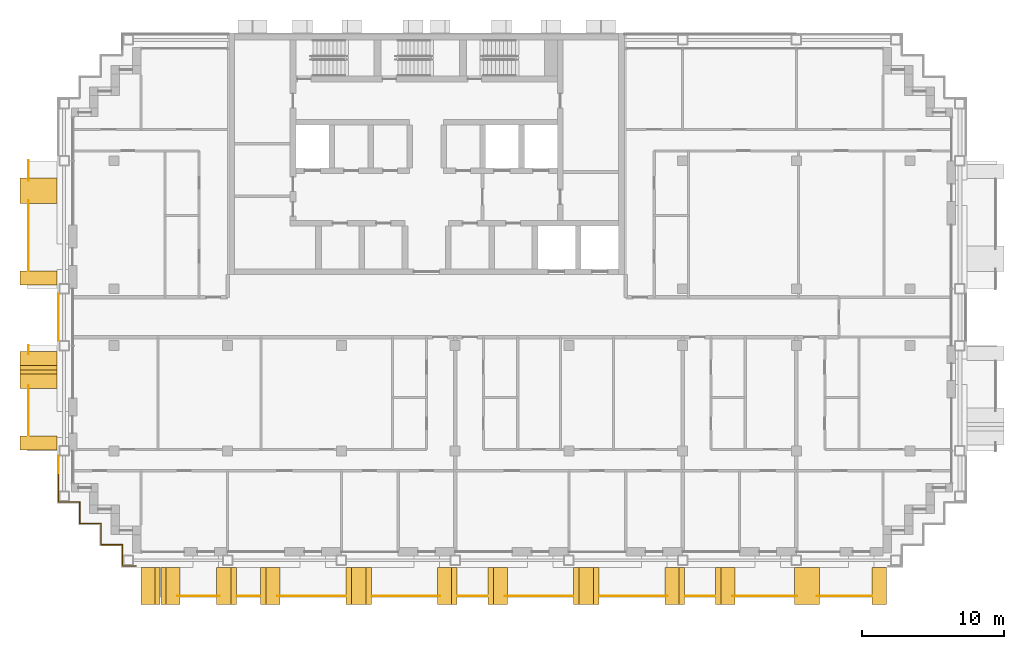
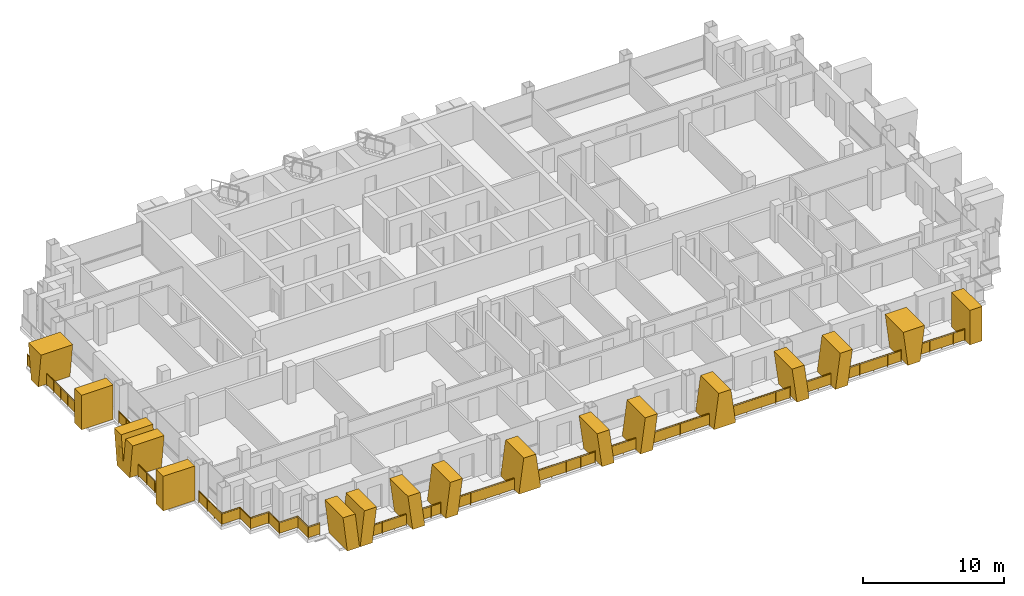
# One storey, part 13 of 16: 17 railings, 16 shading devices.
"""IFC4 building model written with IfcOpenShell, lengths in metres."""

import ifcopenshell
import ifcopenshell.guid

model = None  # the IFC model being written
_history = None  # IfcOwnerHistory: only IFC2X3 demands one
_inside = {}  # id of a spatial element -> (the spatial element, [elements in it])
_under = {}  # id of a project, library or spatial element -> (it, [spatial elements below it])
_declared = {}  # id of a project -> (the project, [libraries it declares])
_typed = {}  # id of a type object -> (the type object, [elements of that type])
_made_of = {}  # id of a material, layer set ... -> (it, [elements and type objects made of it])


def new_model(schema):
    """Start an empty IFC model of exactly this schema.

    Asked for "IFC4X3", IfcOpenShell would pick the latest addendum, in which some entities
    have other attributes; the version numbers below select the first issue.
    IFC2X3 requires an IfcOwnerHistory on every rooted entity: one is made here for all.
    """
    global model, _history
    if schema == "IFC4X3":
        model = ifcopenshell.file(schema_version=(4, 3, 0, 0))
    else:
        model = ifcopenshell.file(schema=schema)
    _inside.clear()
    _under.clear()
    _declared.clear()
    _typed.clear()
    _made_of.clear()
    _history = None
    if model.schema == "IFC2X3":
        org = make("IfcOrganization", Name="unknown")
        user = make(
            "IfcPersonAndOrganization",
            ThePerson=make("IfcPerson", FamilyName="unknown"),
            TheOrganization=org,
        )
        app = make(
            "IfcApplication",
            ApplicationDeveloper=org,
            Version="unknown",
            ApplicationFullName="unknown",
            ApplicationIdentifier="unknown",
        )
        _history = make(
            "IfcOwnerHistory",
            OwningUser=user,
            OwningApplication=app,
            ChangeAction="ADDED",
            CreationDate=0,
        )
    return model


def make(cls, **values):
    """One entity of the class cls with the attributes given. An attribute that is None is left unset."""
    return model.create_entity(
        cls, **{name: value for name, value in values.items() if value is not None}
    )


def rooted(cls, **values):
    """An entity with a GlobalId (a new one), such as an element, a storey or a relation."""
    return make(cls, GlobalId=ifcopenshell.guid.new(), OwnerHistory=_history, **values)


def si_unit(unit_type, name, prefix=None):
    """IfcSIUnit, for example si_unit("LENGTHUNIT", "METRE", prefix="MILLI")."""
    return make("IfcSIUnit", UnitType=unit_type, Prefix=prefix, Name=name)


def assignment(units):
    """IfcUnitAssignment: the units of a project."""
    return None if units is None else make("IfcUnitAssignment", Units=units)


def point(xyz):
    """IfcCartesianPoint."""
    return None if xyz is None else make("IfcCartesianPoint", Coordinates=xyz)


def direction(xyz):
    """IfcDirection."""
    return None if xyz is None else make("IfcDirection", DirectionRatios=xyz)


def frame(location, z_axis=None, x_axis=None):
    """IfcAxis2Placement3D, a coordinate frame: its origin and axes. An axis left out is left unset."""
    return make(
        "IfcAxis2Placement3D",
        Location=point(location),
        Axis=direction(z_axis),
        RefDirection=direction(x_axis),
    )


def frame_2d(location, x_axis=None):
    """IfcAxis2Placement2D, a coordinate frame in the plane: its origin and x axis."""
    return make(
        "IfcAxis2Placement2D", Location=point(location), RefDirection=direction(x_axis)
    )


def origin():
    """The frame at (0, 0, 0) with its axes left unset."""
    return frame((0.0, 0.0, 0.0))


def origin_2d():
    """The frame at (0, 0) in the plane with its x axis left unset."""
    return frame_2d((0.0, 0.0))


def place(relative_to, where):
    """IfcLocalPlacement: puts the frame where relative to a parent placement (None: the world)."""
    return make(
        "IfcLocalPlacement", PlacementRelTo=relative_to, RelativePlacement=where
    )


def context(
    kind, dimensions, precision=None, world=None, true_north=None, identifier=None
):
    """IfcGeometricRepresentationContext, for example the 3D "Model" context."""
    return make(
        "IfcGeometricRepresentationContext",
        ContextIdentifier=identifier,
        ContextType=kind,
        CoordinateSpaceDimension=dimensions,
        Precision=precision,
        WorldCoordinateSystem=world,
        TrueNorth=true_north,
    )


def subcontext(parent, identifier, kind, view, scale=None):
    """IfcGeometricRepresentationSubContext, for example "Body" below "Model"."""
    return make(
        "IfcGeometricRepresentationSubContext",
        ContextIdentifier=identifier,
        ContextType=kind,
        ParentContext=parent,
        TargetScale=scale,
        TargetView=view,
    )


def project(units=None, contexts=None):
    """IfcProject with its units and contexts."""
    return rooted(
        "IfcProject",
        Name="project",
        RepresentationContexts=contexts,
        UnitsInContext=assignment(units),
    )


def spatial(cls, under=None, at=None, **own):
    """A site, building, storey or space (cls), placed at a placement, below another one or the project."""
    s = rooted(cls, ObjectPlacement=at, **own)
    if under is not None:
        _under.setdefault(under.id(), (under, []))[1].append(s)
    return s


def polyline(points):
    """IfcPolyline through the points."""
    return make("IfcPolyline", Points=[point(p) for p in points])


def profile(cls, at=None, kind="AREA", **sizes):
    """A parametric profile (cls). Its sizes go by their IFC names, for example OverallWidth=200.0."""
    return make(cls, ProfileType=kind, Position=at, **sizes)


def rectangle(**sizes):
    """IfcRectangleProfileDef."""
    return profile("IfcRectangleProfileDef", **sizes)


def circle(**sizes):
    """IfcCircleProfileDef."""
    return profile("IfcCircleProfileDef", **sizes)


def outline(outer, holes=None, kind="AREA"):
    """IfcArbitraryClosedProfileDef: a profile drawn as a closed curve; with holes, ...WithVoids."""
    if holes is None:
        return make("IfcArbitraryClosedProfileDef", ProfileType=kind, OuterCurve=outer)
    return make(
        "IfcArbitraryProfileDefWithVoids",
        ProfileType=kind,
        OuterCurve=outer,
        InnerCurves=holes,
    )


def extrude(swept, where, along, depth):
    """IfcExtrudedAreaSolid: the profile swept, set in the frame where, extruded along a direction by depth."""
    return make(
        "IfcExtrudedAreaSolid",
        SweptArea=swept,
        Position=where,
        ExtrudedDirection=direction(along),
        Depth=depth,
    )


def shape(context_of_items, identifier, shape_type, items):
    """IfcShapeRepresentation: the items that make up one representation, for example the "Body"."""
    return make(
        "IfcShapeRepresentation",
        ContextOfItems=context_of_items,
        RepresentationIdentifier=identifier,
        RepresentationType=shape_type,
        Items=items,
    )


def material(Name=None, Category=None):
    """IfcMaterial."""
    return make("IfcMaterial", Name=Name, Category=Category)


def layer(
    of_material, thickness, ventilated=None, Name=None, Category=None, Priority=None
):
    """IfcMaterialLayer: one layer of a wall or slab, of a material (None: an air gap)."""
    return make(
        "IfcMaterialLayer",
        Material=of_material,
        LayerThickness=thickness,
        IsVentilated=ventilated,
        Name=Name,
        Category=Category,
        Priority=Priority,
    )


def layer_set(layers, Name=None):
    """IfcMaterialLayerSet."""
    return make("IfcMaterialLayerSet", MaterialLayers=layers, LayerSetName=Name)


def made_of(thing, what):
    """Note that an element or type object is made of a material, layer set ...; save() writes the relation."""
    if what is not None:
        _made_of.setdefault(what.id(), (what, []))[1].append(thing)
    return thing


def type_object(cls, material=None, **own):
    """A type object (cls), such as IfcWallType, which elements share."""
    return made_of(rooted(cls, **own), material)


def element(
    cls,
    number,
    at=None,
    inside=None,
    cuts=None,
    type_object=None,
    material=None,
    context=None,
    identifier="Body",
    shape_type=None,
    held_by="IfcProductDefinitionShape",
    body=None,
    shapes=None,
    **own,
):
    """One element of the class cls, such as IfcWall. Its Tag is "e" and its number.

    at: its placement. inside: the storey or other place that contains it. cuts: it is an
    opening in that element (IfcRelVoidsElement). A single representation is given by context,
    identifier, shape_type and body (its items); several are given by shapes. held_by: the class
    of the entity that holds the representations. save() writes the other relations.
    """
    e = rooted(cls, Tag="e%d" % number, ObjectPlacement=at, **own)
    if body is not None:
        shapes = [shape(context, identifier, shape_type, body)]
    if shapes is not None:
        e.Representation = make(held_by, Representations=shapes)
    if inside is not None:
        _inside.setdefault(inside.id(), (inside, []))[1].append(e)
    if cuts is not None:
        rooted(
            "IfcRelVoidsElement", RelatingBuildingElement=cuts, RelatedOpeningElement=e
        )
    if type_object is not None:
        _typed.setdefault(type_object.id(), (type_object, []))[1].append(e)
    return made_of(e, material)


def aggregate(whole, parts):
    """IfcRelAggregates: a whole, such as a stair, and the parts it consists of."""
    return rooted("IfcRelAggregates", RelatingObject=whole, RelatedObjects=parts)


def save(model, path):
    """Write the relations noted so far, then the file.

    IfcRelAggregates (storeys below a building ...), IfcRelContainedInSpatialStructure (elements
    in a storey), IfcRelDefinesByType, IfcRelAssociatesMaterial and IfcRelDeclares: one each for
    every whole, place, type object, material and project.
    """
    for whole, parts in _under.values():
        aggregate(whole, parts)
    for where, things in _inside.values():
        rooted(
            "IfcRelContainedInSpatialStructure",
            RelatedElements=things,
            RelatingStructure=where,
        )
    for kind, things in _typed.values():
        rooted("IfcRelDefinesByType", RelatedObjects=things, RelatingType=kind)
    for what, things in _made_of.values():
        rooted("IfcRelAssociatesMaterial", RelatedObjects=things, RelatingMaterial=what)
    for by, libraries in _declared.values():
        rooted("IfcRelDeclares", RelatingContext=by, RelatedDefinitions=libraries)
    model.write(path)


model = new_model("IFC4")

# Units and contexts
model_context = context("Model", 3, precision=1e-05, world=origin(), true_north=direction((0.0, 1.0)))
body_context = subcontext(model_context, "Body", "Model", "MODEL_VIEW")
ifc_project = project(units=[si_unit("LENGTHUNIT", "METRE"), si_unit("AREAUNIT", "SQUARE_METRE"), si_unit("VOLUMEUNIT", "CUBIC_METRE"), si_unit("PLANEANGLEUNIT", "RADIAN"), si_unit("MASSUNIT", "GRAM", prefix="KILO")], contexts=[model_context])

# Site, building, storey
site_placement = place(None, origin())
site = spatial("IfcSite", under=ifc_project, at=site_placement, CompositionType="ELEMENT")
building_placement = place(site_placement, origin())
building = spatial("IfcBuilding", under=site, at=building_placement, Name="Vidyagriha Tower", CompositionType="ELEMENT")
storey_placement = place(building_placement, frame((0.0, 0.0, 178.10009765625)))
storey = spatial("IfcBuildingStorey", under=building, at=storey_placement, Name="L46", CompositionType="ELEMENT", Elevation=178.10009765625)

# Railings
ifc_material_1 = material(Name="Steel ASTM A500 Grade C black painted", Category="steel")
railing_type_1 = type_object("IfcRailingType", Name="Balcony guard 1100", PredefinedType="BALUSTRADE", material=ifc_material_1)
railing_1_placement = place(storey_placement, frame((-28.0, 11.0, 0.0)))
element("IfcRailing", 1, at=railing_1_placement, inside=storey, type_object=railing_type_1, Name="Balcony guard L46 R16.1-1", PredefinedType="BALUSTRADE", context=body_context, shape_type="SweptSolid", body=[
    extrude(circle(Radius=0.02490234375, at=origin_2d()), frame((0.0, 0.0, 1.0751953125), z_axis=(0.0, -1.0, 0.0), x_axis=(1.0, 0.0, 0.0)), (0.0, 0.0, 1.0), 1.396728515625),
    extrude(circle(Radius=0.02001953125, at=origin_2d()), origin(), (0.0, 0.0, 1.0), 1.050048828125),
    extrude(circle(Radius=0.02001953125, at=origin_2d()), frame((0.0, -0.6982421875, 0.0)), (0.0, 0.0, 1.0), 1.050048828125),
    extrude(circle(Radius=0.02001953125, at=origin_2d()), frame((0.0, -1.396728515625, 0.0)), (0.0, 0.0, 1.0), 1.050048828125),
    extrude(rectangle(XDim=0.010009765625, YDim=0.900146484375, at=origin_2d()), frame((0.0, 0.0, 0.550048828125), z_axis=(0.0, -1.0, 0.0), x_axis=(1.0, 0.0, 0.0)), (0.0, 0.0, 1.0), 1.396728515625),
])
railing_2_placement = place(storey_placement, frame((-28.0, 8.19677734375, 0.0)))
element("IfcRailing", 2, at=railing_2_placement, inside=storey, type_object=railing_type_1, Name="Balcony guard L46 R16.1-2", PredefinedType="BALUSTRADE", context=body_context, shape_type="SweptSolid", body=[
    extrude(circle(Radius=0.02490234375, at=origin_2d()), frame((0.0, 0.0, 1.0751953125), z_axis=(0.0, -1.0, 0.0), x_axis=(1.0, 0.0, 0.0)), (0.0, 0.0, 1.0), 4.896728515625),
    extrude(circle(Radius=0.02001953125, at=origin_2d()), origin(), (0.0, 0.0, 1.0), 1.050048828125),
    extrude(circle(Radius=0.02001953125, at=origin_2d()), frame((0.0, -0.979248046875, 0.0)), (0.0, 0.0, 1.0), 1.050048828125),
    extrude(circle(Radius=0.02001953125, at=origin_2d()), frame((0.0, -1.958740234375, 0.0)), (0.0, 0.0, 1.0), 1.050048828125),
    extrude(circle(Radius=0.02001953125, at=origin_2d()), frame((0.0, -2.93798828125, 0.0)), (0.0, 0.0, 1.0), 1.050048828125),
    extrude(circle(Radius=0.02001953125, at=origin_2d()), frame((0.0, -3.91748046875, 0.0)), (0.0, 0.0, 1.0), 1.050048828125),
    extrude(circle(Radius=0.02001953125, at=origin_2d()), frame((0.0, -4.896728515625, 0.0)), (0.0, 0.0, 1.0), 1.050048828125),
    extrude(rectangle(XDim=0.010009765625, YDim=0.900146484375, at=origin_2d()), frame((0.0, 0.0, 0.550048828125), z_axis=(0.0, -1.0, 0.0), x_axis=(1.0, 0.0, 0.0)), (0.0, 0.0, 1.0), 4.896728515625),
])
railing_3_placement = place(storey_placement, frame((-28.0, -2.0, 0.0)))
element("IfcRailing", 3, at=railing_3_placement, inside=storey, type_object=railing_type_1, Name="Balcony guard L46 R16.2-1", PredefinedType="BALUSTRADE", context=body_context, shape_type="SweptSolid", body=[
    extrude(circle(Radius=0.02490234375, at=origin_2d()), frame((0.0, 0.0, 1.0751953125), z_axis=(0.0, -1.0, 0.0), x_axis=(1.0, 0.0, 0.0)), (0.0, 0.0, 1.0), 0.5966796875),
    extrude(circle(Radius=0.02001953125, at=origin_2d()), origin(), (0.0, 0.0, 1.0), 1.050048828125),
    extrude(circle(Radius=0.02001953125, at=origin_2d()), frame((0.0, -0.5966796875, 0.0)), (0.0, 0.0, 1.0), 1.050048828125),
    extrude(rectangle(XDim=0.010009765625, YDim=0.900146484375, at=origin_2d()), frame((0.0, 0.0, 0.550048828125), z_axis=(0.0, -1.0, 0.0), x_axis=(1.0, 0.0, 0.0)), (0.0, 0.0, 1.0), 0.5966796875),
])
railing_4_placement = place(storey_placement, frame((-28.0, -4.80322265625, 0.0)))
element("IfcRailing", 4, at=railing_4_placement, inside=storey, type_object=railing_type_1, Name="Balcony guard L46 R16.2-2", PredefinedType="BALUSTRADE", context=body_context, shape_type="SweptSolid", body=[
    extrude(circle(Radius=0.02490234375, at=origin_2d()), frame((0.0, 0.0, 1.0751953125), z_axis=(0.0, -1.0, 0.0), x_axis=(1.0, 0.0, 0.0)), (0.0, 0.0, 1.0), 3.496826171875),
    extrude(circle(Radius=0.02001953125, at=origin_2d()), origin(), (0.0, 0.0, 1.0), 1.050048828125),
    extrude(circle(Radius=0.02001953125, at=origin_2d()), frame((0.0, -1.16552734375, 0.0)), (0.0, 0.0, 1.0), 1.050048828125),
    extrude(circle(Radius=0.02001953125, at=origin_2d()), frame((0.0, -2.331298828125, 0.0)), (0.0, 0.0, 1.0), 1.050048828125),
    extrude(circle(Radius=0.02001953125, at=origin_2d()), frame((0.0, -3.496826171875, 0.0)), (0.0, 0.0, 1.0), 1.050048828125),
    extrude(rectangle(XDim=0.010009765625, YDim=0.900146484375, at=origin_2d()), frame((0.0, 0.0, 0.550048828125), z_axis=(0.0, -1.0, 0.0), x_axis=(1.0, 0.0, 0.0)), (0.0, 0.0, 1.0), 3.496826171875),
])
railing_5_placement = place(storey_placement, frame((-17.515869140625, -19.60009765625, 0.0)))
element("IfcRailing", 5, at=railing_5_placement, inside=storey, type_object=railing_type_1, Name="Balcony guard L46 R23.1-1", PredefinedType="BALUSTRADE", context=body_context, shape_type="SweptSolid", body=[
    extrude(circle(Radius=0.02490234375, at=origin_2d()), frame((0.0, 0.0, 1.0751953125), z_axis=(1.0, 0.0, 0.0), x_axis=(0.0, 1.0, 0.0)), (0.0, 0.0, 1.0), 2.928955078125),
    extrude(circle(Radius=0.02001953125, at=origin_2d()), origin(), (0.0, 0.0, 1.0), 1.050048828125),
    extrude(circle(Radius=0.02001953125, at=origin_2d()), frame((0.976318359375, 0.0, 0.0)), (0.0, 0.0, 1.0), 1.050048828125),
    extrude(circle(Radius=0.02001953125, at=origin_2d()), frame((1.95263671875, 0.0, 0.0)), (0.0, 0.0, 1.0), 1.050048828125),
    extrude(circle(Radius=0.02001953125, at=origin_2d()), frame((2.928955078125, 0.0, 0.0)), (0.0, 0.0, 1.0), 1.050048828125),
    extrude(rectangle(XDim=0.010009765625, YDim=0.900146484375, at=origin_2d()), frame((0.0, 0.0, 0.550048828125), z_axis=(1.0, 0.0, 0.0), x_axis=(0.0, 1.0, 0.0)), (0.0, 0.0, 1.0), 2.928955078125),
])
railing_6_placement = place(storey_placement, frame((-13.3388671875, -19.60009765625, 0.0)))
element("IfcRailing", 6, at=railing_6_placement, inside=storey, type_object=railing_type_1, Name="Balcony guard L46 R23.1-2", PredefinedType="BALUSTRADE", context=body_context, shape_type="SweptSolid", body=[
    extrude(circle(Radius=0.02490234375, at=origin_2d()), frame((0.0, 0.0, 1.0751953125), z_axis=(1.0, 0.0, 0.0), x_axis=(0.0, 1.0, 0.0)), (0.0, 0.0, 1.0), 1.602783203125),
    extrude(circle(Radius=0.02001953125, at=origin_2d()), origin(), (0.0, 0.0, 1.0), 1.050048828125),
    extrude(circle(Radius=0.02001953125, at=origin_2d()), frame((0.80126953125, 0.0, 0.0)), (0.0, 0.0, 1.0), 1.050048828125),
    extrude(circle(Radius=0.02001953125, at=origin_2d()), frame((1.602783203125, 0.0, 0.0)), (0.0, 0.0, 1.0), 1.050048828125),
    extrude(rectangle(XDim=0.010009765625, YDim=0.900146484375, at=origin_2d()), frame((0.0, 0.0, 0.550048828125), z_axis=(1.0, 0.0, 0.0), x_axis=(0.0, 1.0, 0.0)), (0.0, 0.0, 1.0), 1.602783203125),
])
railing_7_placement = place(storey_placement, frame((-10.488037109375, -19.60009765625, 0.0)))
element("IfcRailing", 7, at=railing_7_placement, inside=storey, type_object=railing_type_1, Name="Balcony guard L46 R23.1-3", PredefinedType="BALUSTRADE", context=body_context, shape_type="SweptSolid", body=[
    extrude(circle(Radius=0.02490234375, at=origin_2d()), frame((0.0, 0.0, 1.0751953125), z_axis=(1.0, 0.0, 0.0), x_axis=(0.0, 1.0, 0.0)), (0.0, 0.0, 1.0), 4.76806640625),
    extrude(circle(Radius=0.02001953125, at=origin_2d()), origin(), (0.0, 0.0, 1.0), 1.050048828125),
    extrude(circle(Radius=0.02001953125, at=origin_2d()), frame((1.19189453125, 0.0, 0.0)), (0.0, 0.0, 1.0), 1.050048828125),
    extrude(circle(Radius=0.02001953125, at=origin_2d()), frame((2.384033203125, 0.0, 0.0)), (0.0, 0.0, 1.0), 1.050048828125),
    extrude(circle(Radius=0.02001953125, at=origin_2d()), frame((3.576171875, 0.0, 0.0)), (0.0, 0.0, 1.0), 1.050048828125),
    extrude(circle(Radius=0.02001953125, at=origin_2d()), frame((4.76806640625, 0.0, 0.0)), (0.0, 0.0, 1.0), 1.050048828125),
    extrude(rectangle(XDim=0.010009765625, YDim=0.900146484375, at=origin_2d()), frame((0.0, 0.0, 0.550048828125), z_axis=(1.0, 0.0, 0.0), x_axis=(0.0, 1.0, 0.0)), (0.0, 0.0, 1.0), 4.76806640625),
])
railing_8_placement = place(storey_placement, frame((-3.830078125, -19.60009765625, 0.0)))
element("IfcRailing", 8, at=railing_8_placement, inside=storey, type_object=railing_type_1, Name="Balcony guard L46 R23.1-4", PredefinedType="BALUSTRADE", context=body_context, shape_type="SweptSolid", body=[
    extrude(circle(Radius=0.02490234375, at=origin_2d()), frame((0.0, 0.0, 1.0751953125), z_axis=(1.0, 0.0, 0.0), x_axis=(0.0, 1.0, 0.0)), (0.0, 0.0, 1.0), 4.773681640625),
    extrude(circle(Radius=0.02001953125, at=origin_2d()), origin(), (0.0, 0.0, 1.0), 1.050048828125),
    extrude(circle(Radius=0.02001953125, at=origin_2d()), frame((1.193359375, 0.0, 0.0)), (0.0, 0.0, 1.0), 1.050048828125),
    extrude(circle(Radius=0.02001953125, at=origin_2d()), frame((2.38671875, 0.0, 0.0)), (0.0, 0.0, 1.0), 1.050048828125),
    extrude(circle(Radius=0.02001953125, at=origin_2d()), frame((3.580322265625, 0.0, 0.0)), (0.0, 0.0, 1.0), 1.050048828125),
    extrude(circle(Radius=0.02001953125, at=origin_2d()), frame((4.773681640625, 0.0, 0.0)), (0.0, 0.0, 1.0), 1.050048828125),
    extrude(rectangle(XDim=0.010009765625, YDim=0.900146484375, at=origin_2d()), frame((0.0, 0.0, 0.550048828125), z_axis=(1.0, 0.0, 0.0), x_axis=(0.0, 1.0, 0.0)), (0.0, 0.0, 1.0), 4.773681640625),
])
railing_9_placement = place(storey_placement, frame((2.195068359375, -19.60009765625, 0.0)))
element("IfcRailing", 9, at=railing_9_placement, inside=storey, type_object=railing_type_1, Name="Balcony guard L46 R23.1-5", PredefinedType="BALUSTRADE", context=body_context, shape_type="SweptSolid", body=[
    extrude(circle(Radius=0.02490234375, at=origin_2d()), frame((0.0, 0.0, 1.0751953125), z_axis=(1.0, 0.0, 0.0), x_axis=(0.0, 1.0, 0.0)), (0.0, 0.0, 1.0), 2.059814453125),
    extrude(circle(Radius=0.02001953125, at=origin_2d()), origin(), (0.0, 0.0, 1.0), 1.050048828125),
    extrude(circle(Radius=0.02001953125, at=origin_2d()), frame((1.02978515625, 0.0, 0.0)), (0.0, 0.0, 1.0), 1.050048828125),
    extrude(circle(Radius=0.02001953125, at=origin_2d()), frame((2.059814453125, 0.0, 0.0)), (0.0, 0.0, 1.0), 1.050048828125),
    extrude(rectangle(XDim=0.010009765625, YDim=0.900146484375, at=origin_2d()), frame((0.0, 0.0, 0.550048828125), z_axis=(1.0, 0.0, 0.0), x_axis=(0.0, 1.0, 0.0)), (0.0, 0.0, 1.0), 2.059814453125),
])
for number, where, name in (
    (10, (5.50634765625, -19.60009765625, 0.0), "Balcony guard L46 R23.1-6"),
    (11, (12.169921875, -19.60009765625, 0.0), "Balcony guard L46 R23.1-7"),
):
    element("IfcRailing", number, at=place(storey_placement, frame(where)), inside=storey, type_object=railing_type_1, Name=name, PredefinedType="BALUSTRADE", context=body_context, shape_type="SweptSolid", body=[
        extrude(circle(Radius=0.02490234375, at=origin_2d()), frame((0.0, 0.0, 1.0751953125), z_axis=(1.0, 0.0, 0.0), x_axis=(0.0, 1.0, 0.0)), (0.0, 0.0, 1.0), 4.773681640625),
        extrude(circle(Radius=0.02001953125, at=origin_2d()), origin(), (0.0, 0.0, 1.0), 1.050048828125),
        extrude(circle(Radius=0.02001953125, at=origin_2d()), frame((1.193359375, 0.0, 0.0)), (0.0, 0.0, 1.0), 1.050048828125),
        extrude(circle(Radius=0.02001953125, at=origin_2d()), frame((2.38671875, 0.0, 0.0)), (0.0, 0.0, 1.0), 1.050048828125),
        extrude(circle(Radius=0.02001953125, at=origin_2d()), frame((3.580322265625, 0.0, 0.0)), (0.0, 0.0, 1.0), 1.050048828125),
        extrude(circle(Radius=0.02001953125, at=origin_2d()), frame((4.773681640625, 0.0, 0.0)), (0.0, 0.0, 1.0), 1.050048828125),
        extrude(rectangle(XDim=0.010009765625, YDim=0.900146484375, at=origin_2d()), frame((0.0, 0.0, 0.550048828125), z_axis=(1.0, 0.0, 0.0), x_axis=(0.0, 1.0, 0.0)), (0.0, 0.0, 1.0), 4.773681640625),
    ])
railing_10_placement = place(storey_placement, frame((18.195068359375, -19.60009765625, 0.0)))
element("IfcRailing", 12, at=railing_10_placement, inside=storey, type_object=railing_type_1, Name="Balcony guard L46 R23.1-8", PredefinedType="BALUSTRADE", context=body_context, shape_type="SweptSolid", body=[
    extrude(circle(Radius=0.02490234375, at=origin_2d()), frame((0.0, 0.0, 1.0751953125), z_axis=(1.0, 0.0, 0.0), x_axis=(0.0, 1.0, 0.0)), (0.0, 0.0, 1.0), 2.059814453125),
    extrude(circle(Radius=0.02001953125, at=origin_2d()), origin(), (0.0, 0.0, 1.0), 1.050048828125),
    extrude(circle(Radius=0.02001953125, at=origin_2d()), frame((1.02978515625, 0.0, 0.0)), (0.0, 0.0, 1.0), 1.050048828125),
    extrude(circle(Radius=0.02001953125, at=origin_2d()), frame((2.059814453125, 0.0, 0.0)), (0.0, 0.0, 1.0), 1.050048828125),
    extrude(rectangle(XDim=0.010009765625, YDim=0.900146484375, at=origin_2d()), frame((0.0, 0.0, 0.550048828125), z_axis=(1.0, 0.0, 0.0), x_axis=(0.0, 1.0, 0.0)), (0.0, 0.0, 1.0), 2.059814453125),
])
railing_11_placement = place(storey_placement, frame((21.50634765625, -19.60009765625, 0.0)))
element("IfcRailing", 13, at=railing_11_placement, inside=storey, type_object=railing_type_1, Name="Balcony guard L46 R23.1-9", PredefinedType="BALUSTRADE", context=body_context, shape_type="SweptSolid", body=[
    extrude(circle(Radius=0.02490234375, at=origin_2d()), frame((0.0, 0.0, 1.0751953125), z_axis=(1.0, 0.0, 0.0), x_axis=(0.0, 1.0, 0.0)), (0.0, 0.0, 1.0), 4.5498046875),
    extrude(circle(Radius=0.02001953125, at=origin_2d()), origin(), (0.0, 0.0, 1.0), 1.050048828125),
    extrude(circle(Radius=0.02001953125, at=origin_2d()), frame((1.137451171875, 0.0, 0.0)), (0.0, 0.0, 1.0), 1.050048828125),
    extrude(circle(Radius=0.02001953125, at=origin_2d()), frame((2.27490234375, 0.0, 0.0)), (0.0, 0.0, 1.0), 1.050048828125),
    extrude(circle(Radius=0.02001953125, at=origin_2d()), frame((3.412353515625, 0.0, 0.0)), (0.0, 0.0, 1.0), 1.050048828125),
    extrude(circle(Radius=0.02001953125, at=origin_2d()), frame((4.5498046875, 0.0, 0.0)), (0.0, 0.0, 1.0), 1.050048828125),
    extrude(rectangle(XDim=0.010009765625, YDim=0.900146484375, at=origin_2d()), frame((0.0, 0.0, 0.550048828125), z_axis=(1.0, 0.0, 0.0), x_axis=(0.0, 1.0, 0.0)), (0.0, 0.0, 1.0), 4.5498046875),
])
railing_12_placement = place(storey_placement, frame((27.44384765625, -19.60009765625, 0.0)))
element("IfcRailing", 14, at=railing_12_placement, inside=storey, type_object=railing_type_1, Name="Balcony guard L46 R23.1-10", PredefinedType="BALUSTRADE", context=body_context, shape_type="SweptSolid", body=[
    extrude(circle(Radius=0.02490234375, at=origin_2d()), frame((0.0, 0.0, 1.0751953125), z_axis=(1.0, 0.0, 0.0), x_axis=(0.0, 1.0, 0.0)), (0.0, 0.0, 1.0), 3.8310546875),
    extrude(circle(Radius=0.02001953125, at=origin_2d()), origin(), (0.0, 0.0, 1.0), 1.050048828125),
    extrude(circle(Radius=0.02001953125, at=origin_2d()), frame((0.957763671875, 0.0, 0.0)), (0.0, 0.0, 1.0), 1.050048828125),
    extrude(circle(Radius=0.02001953125, at=origin_2d()), frame((1.91552734375, 0.0, 0.0)), (0.0, 0.0, 1.0), 1.050048828125),
    extrude(circle(Radius=0.02001953125, at=origin_2d()), frame((2.873291015625, 0.0, 0.0)), (0.0, 0.0, 1.0), 1.050048828125),
    extrude(circle(Radius=0.02001953125, at=origin_2d()), frame((3.8310546875, 0.0, 0.0)), (0.0, 0.0, 1.0), 1.050048828125),
    extrude(rectangle(XDim=0.010009765625, YDim=0.900146484375, at=origin_2d()), frame((0.0, 0.0, 0.550048828125), z_axis=(1.0, 0.0, 0.0), x_axis=(0.0, 1.0, 0.0)), (0.0, 0.0, 1.0), 3.8310546875),
])

# Shading devices
ifc_material_2 = material(Name="Precast concrete C40/50 with buff brick facing", Category="concrete")
ifc_layer_1 = layer(ifc_material_2, 1.0)
ifc_layer_set_1 = layer_set([ifc_layer_1], Name="Precast concrete C40/50 with buff brick facing")
shading_device_type_1 = type_object("IfcShadingDeviceType", Name="Brick-faced blade fin arm leaning 8 degrees", PredefinedType="USERDEFINED", material=ifc_layer_set_1)
shading_device_1_placement = place(storey_placement, frame((-18.699951171875, -18.89990234375, 0.0)))
element("IfcShadingDevice", 15, at=shading_device_1_placement, inside=storey, type_object=shading_device_type_1, Name="Leaning blade fin L46 R23.0a", ObjectType="BLADE FIN", PredefinedType="USERDEFINED", context=body_context, shape_type="SweptSolid", body=[
    extrude(outline(polyline([(0.0, 0.0), (1.0, 0.0), (1.35009765625, 3.0), (0.35009765625, 3.0), (0.0, 0.0)])), frame((0.0, 1.300048828125, 0.0), z_axis=(0.0, -1.0, 0.0), x_axis=(1.0, 0.0, 0.0)), (0.0, 0.0, 1.0), 2.60009765625),
])
shading_device_2_placement = place(storey_placement, frame((-20.10009765625, -18.89990234375, 0.0)))
element("IfcShadingDevice", 16, at=shading_device_2_placement, inside=storey, type_object=shading_device_type_1, Name="Leaning blade fin L46 R23.0b", ObjectType="BLADE FIN", PredefinedType="USERDEFINED", context=body_context, shape_type="SweptSolid", body=[
    extrude(outline(polyline([(0.35009765625, 0.0), (1.35009765625, 0.0), (1.0, 3.0), (0.0, 3.0), (0.35009765625, 0.0)])), frame((0.0, 1.300048828125, 0.0), z_axis=(0.0, -1.0, 0.0), x_axis=(1.0, 0.0, 0.0)), (0.0, 0.0, 1.0), 2.60009765625),
])
shading_device_3_placement = place(storey_placement, frame((-11.68603515625, -18.89990234375, 0.0)))
element("IfcShadingDevice", 17, at=shading_device_3_placement, inside=storey, type_object=shading_device_type_1, Name="Leaning blade fin L46 R23.610a", ObjectType="BLADE FIN", PredefinedType="USERDEFINED", context=body_context, shape_type="SweptSolid", body=[
    extrude(outline(polyline([(0.0, 0.0), (1.0, 0.0), (1.385986328125, 3.0), (0.385986328125, 3.0), (0.0, 0.0)])), frame((0.0, 1.300048828125, 0.0), z_axis=(0.0, -1.0, 0.0), x_axis=(1.0, 0.0, 0.0)), (0.0, 0.0, 1.0), 2.60009765625),
])
shading_device_4_placement = place(storey_placement, frame((-14.77490234375, -18.89990234375, 0.0)))
element("IfcShadingDevice", 18, at=shading_device_4_placement, inside=storey, type_object=shading_device_type_1, Name="Leaning blade fin L46 R23.610b", ObjectType="BLADE FIN", PredefinedType="USERDEFINED", context=body_context, shape_type="SweptSolid", body=[
    extrude(outline(polyline([(0.385986328125, 0.0), (1.385986328125, 0.0), (1.0, 3.0), (0.0, 3.0), (0.385986328125, 0.0)])), frame((0.0, 1.300048828125, 0.0), z_axis=(0.0, -1.0, 0.0), x_axis=(1.0, 0.0, 0.0)), (0.0, 0.0, 1.0), 2.60009765625),
])
shading_device_5_placement = place(storey_placement, frame((4.304931640625, -18.89990234375, 0.0)))
element("IfcShadingDevice", 19, at=shading_device_5_placement, inside=storey, type_object=shading_device_type_1, Name="Leaning blade fin L46 R23.2210a", ObjectType="BLADE FIN", PredefinedType="USERDEFINED", context=body_context, shape_type="SweptSolid", body=[
    extrude(outline(polyline([(0.0, 0.0), (1.0, 0.0), (1.39501953125, 3.0), (0.39501953125, 3.0), (0.0, 0.0)])), frame((0.0, 1.300048828125, 0.0), z_axis=(0.0, -1.0, 0.0), x_axis=(1.0, 0.0, 0.0)), (0.0, 0.0, 1.0), 2.60009765625),
])
shading_device_6_placement = place(storey_placement, frame((0.75, -18.89990234375, 0.0)))
element("IfcShadingDevice", 20, at=shading_device_6_placement, inside=storey, type_object=shading_device_type_1, Name="Leaning blade fin L46 R23.2210b", ObjectType="BLADE FIN", PredefinedType="USERDEFINED", context=body_context, shape_type="SweptSolid", body=[
    extrude(outline(polyline([(0.39501953125, 0.0), (1.39501953125, 0.0), (1.0, 3.0), (0.0, 3.0), (0.39501953125, 0.0)])), frame((0.0, 1.300048828125, 0.0), z_axis=(0.0, -1.0, 0.0), x_axis=(1.0, 0.0, 0.0)), (0.0, 0.0, 1.0), 2.60009765625),
])
shading_device_7_placement = place(storey_placement, frame((20.304931640625, -18.89990234375, 0.0)))
element("IfcShadingDevice", 21, at=shading_device_7_placement, inside=storey, type_object=shading_device_type_1, Name="Leaning blade fin L46 R23.3810a", ObjectType="BLADE FIN", PredefinedType="USERDEFINED", context=body_context, shape_type="SweptSolid", body=[
    extrude(outline(polyline([(0.0, 0.0), (1.0, 0.0), (1.39501953125, 3.0), (0.39501953125, 3.0), (0.0, 0.0)])), frame((0.0, 1.300048828125, 0.0), z_axis=(0.0, -1.0, 0.0), x_axis=(1.0, 0.0, 0.0)), (0.0, 0.0, 1.0), 2.60009765625),
])
shading_device_8_placement = place(storey_placement, frame((16.75, -18.89990234375, 0.0)))
element("IfcShadingDevice", 22, at=shading_device_8_placement, inside=storey, type_object=shading_device_type_1, Name="Leaning blade fin L46 R23.3810b", ObjectType="BLADE FIN", PredefinedType="USERDEFINED", context=body_context, shape_type="SweptSolid", body=[
    extrude(outline(polyline([(0.39501953125, 0.0), (1.39501953125, 0.0), (1.0, 3.0), (0.0, 3.0), (0.39501953125, 0.0)])), frame((0.0, 1.300048828125, 0.0), z_axis=(0.0, -1.0, 0.0), x_axis=(1.0, 0.0, 0.0)), (0.0, 0.0, 1.0), 2.60009765625),
])
ifc_material_3 = material(Name="Precast concrete C40/50 with buff brick facing", Category="concrete")
ifc_layer_2 = layer(ifc_material_3, 1.0)
ifc_layer_set_2 = layer_set([ifc_layer_2], Name="Precast concrete C40/50 with buff brick facing")
shading_device_type_2 = type_object("IfcShadingDeviceType", Name="Brick-faced blade fin forking 8 degrees", PredefinedType="USERDEFINED", material=ifc_layer_set_2)
shading_device_9_placement = place(storey_placement, frame((-27.300048828125, 9.800048828125, 0.0), z_axis=(0.0, 0.0, 1.0), x_axis=(0.0, -1.0, 0.0)))
element("IfcShadingDevice", 23, at=shading_device_9_placement, inside=storey, type_object=shading_device_type_2, Name="Forked blade fin L46 R16.310a", ObjectType="BLADE FIN", PredefinedType="USERDEFINED", context=body_context, shape_type="SweptSolid", body=[
    extrude(outline(polyline([(0.39990234375, 0.0), (1.39990234375, 0.0), (1.800048828125, 3.0), (0.0, 3.0), (0.39990234375, 0.0)])), frame((0.0, 1.300048828125, 0.0), z_axis=(0.0, -1.0, 0.0), x_axis=(1.0, 0.0, 0.0)), (0.0, 0.0, 1.0), 2.60009765625),
])
shading_device_10_placement = place(storey_placement, frame((-27.300048828125, -2.39990234375, 0.0), z_axis=(0.0, 0.0, 1.0), x_axis=(0.0, -1.0, 0.0)))
element("IfcShadingDevice", 24, at=shading_device_10_placement, inside=storey, type_object=shading_device_type_2, Name="Forked blade fin L46 R16.1610a", ObjectType="BLADE FIN", PredefinedType="USERDEFINED", context=body_context, shape_type="SweptSolid", body=[
    extrude(outline(polyline([(0.39990234375, 0.0), (2.199951171875, 0.0), (2.60009765625, 3.0), (1.60009765625, 3.0), (1.300048828125, 0.75), (1.0, 3.0), (0.0, 3.0), (0.39990234375, 0.0)])), frame((0.0, 1.300048828125, 0.0), z_axis=(0.0, -1.0, 0.0), x_axis=(1.0, 0.0, 0.0)), (0.0, 0.0, 1.0), 2.60009765625),
])
for number, where, name in (
    (25, (-5.669921875, -18.89990234375, 0.0), "Forked blade fin L46 R23.1410a"),
    (26, (10.330078125, -18.89990234375, 0.0), "Forked blade fin L46 R23.3010a"),
):
    element("IfcShadingDevice", number, at=place(storey_placement, frame(where)), inside=storey, type_object=shading_device_type_2, Name=name, ObjectType="BLADE FIN", PredefinedType="USERDEFINED", context=body_context, shape_type="SweptSolid", body=[
        extrude(outline(polyline([(0.0, 0.0), (1.7900390625, 0.0), (1.39501953125, 3.0), (0.39501953125, 3.0), (0.0, 0.0)])), frame((0.0, 1.300048828125, 0.0), z_axis=(0.0, -1.0, 0.0), x_axis=(1.0, 0.0, 0.0)), (0.0, 0.0, 1.0), 2.60009765625),
    ])
shading_device_11_placement = place(storey_placement, frame((25.875, -18.89990234375, 0.0)))
element("IfcShadingDevice", 27, at=shading_device_11_placement, inside=storey, type_object=shading_device_type_2, Name="Forked blade fin L46 R23.4610a", ObjectType="BLADE FIN", PredefinedType="USERDEFINED", context=body_context, shape_type="SweptSolid", body=[
    extrude(outline(polyline([(0.375, 0.0), (1.375, 0.0), (1.75, 3.0), (0.0, 3.0), (0.375, 0.0)])), frame((0.0, 1.300048828125, 0.0), z_axis=(0.0, -1.0, 0.0), x_axis=(1.0, 0.0, 0.0)), (0.0, 0.0, 1.0), 2.60009765625),
])
ifc_material_4 = material(Name="Precast concrete C40/50 with buff brick facing", Category="concrete")
ifc_layer_3 = layer(ifc_material_4, 1.0)
ifc_layer_set_3 = layer_set([ifc_layer_3], Name="Precast concrete C40/50 with buff brick facing")
shading_device_type_3 = type_object("IfcShadingDeviceType", Name="Brick-faced blade fin stem 1000", PredefinedType="USERDEFINED", material=ifc_layer_set_3)
for number, where, z_axis, x_axis, name in (
    (28, (-27.300048828125, 3.25, 0.0), (0.0, 0.0, 1.0), (0.0, -1.0, 0.0), "Stem blade fin L46 R16.1210a"),
    (29, (-27.300048828125, -8.35009765625, 0.0), (0.0, 0.0, 1.0), (0.0, -1.0, 0.0), "Stem blade fin L46 R16.2350a"),
):
    element("IfcShadingDevice", number, at=place(storey_placement, frame(where, z_axis=z_axis, x_axis=x_axis)), inside=storey, type_object=shading_device_type_3, Name=name, ObjectType="BLADE FIN", PredefinedType="USERDEFINED", context=body_context, shape_type="SweptSolid", body=[
        extrude(outline(polyline([(0.0, 0.0), (1.0, 0.0), (1.0, 3.0), (0.0, 3.0), (0.0, 0.0)])), frame((0.0, 1.300048828125, 0.0), z_axis=(0.0, -1.0, 0.0), x_axis=(1.0, 0.0, 0.0)), (0.0, 0.0, 1.0), 2.60009765625),
    ])
shading_device_12_placement = place(storey_placement, frame((31.324951171875, -18.89990234375, 0.0)))
element("IfcShadingDevice", 30, at=shading_device_12_placement, inside=storey, type_object=shading_device_type_3, Name="Stem blade fin L46 R23.5220a", ObjectType="BLADE FIN", PredefinedType="USERDEFINED", context=body_context, shape_type="SweptSolid", body=[
    extrude(outline(polyline([(0.0, 0.0), (1.0, 0.0), (1.0, 3.0), (0.0, 3.0), (0.0, 0.0)])), frame((0.0, 1.300048828125, 0.0), z_axis=(0.0, -1.0, 0.0), x_axis=(1.0, 0.0, 0.0)), (0.0, 0.0, 1.0), 2.60009765625),
])

# Railings
ifc_material_5 = material(Name="Steel ASTM A500 Grade C black painted", Category="steel")
railing_type_2 = type_object("IfcRailingType", Name="Gallery guard 1100", PredefinedType="GUARDRAIL", material=ifc_material_5)
railing_13_placement = place(storey_placement, frame((-20.4599609375, -17.5, 0.0)))
element("IfcRailing", 31, at=railing_13_placement, inside=storey, type_object=railing_type_2, Name="Gallery guard L46 1", PredefinedType="GUARDRAIL", context=body_context, shape_type="SweptSolid", body=[
    extrude(circle(Radius=0.02490234375, at=origin_2d()), frame((0.0, 0.0, 1.0751953125), z_axis=(-1.0, 0.0, 0.0), x_axis=(0.0, -1.0, 0.0)), (0.0, 0.0, 1.0), 0.93994140625),
    extrude(circle(Radius=0.02490234375, at=origin_2d()), frame((-0.93994140625, 0.0, 1.0751953125), z_axis=(0.0, 1.0, 0.0), x_axis=(-1.0, 0.0, 0.0)), (0.0, 0.0, 1.0), 1.5),
    extrude(circle(Radius=0.02490234375, at=origin_2d()), frame((-0.93994140625, 1.5, 1.0751953125), z_axis=(-1.0, 0.0, 0.0), x_axis=(0.0, -1.0, 0.0)), (0.0, 0.0, 1.0), 1.5),
    extrude(circle(Radius=0.02490234375, at=origin_2d()), frame((-2.43994140625, 1.5, 1.0751953125), z_axis=(0.0, 1.0, 0.0), x_axis=(-1.0, 0.0, 0.0)), (0.0, 0.0, 1.0), 1.5),
    extrude(circle(Radius=0.02490234375, at=origin_2d()), frame((-2.43994140625, 3.0, 1.0751953125), z_axis=(-1.0, 0.0, 0.0), x_axis=(0.0, -1.0, 0.0)), (0.0, 0.0, 1.0), 1.5),
    extrude(circle(Radius=0.02490234375, at=origin_2d()), frame((-3.93994140625, 3.0, 1.0751953125), z_axis=(0.0, 1.0, 0.0), x_axis=(-1.0, 0.0, 0.0)), (0.0, 0.0, 1.0), 1.5),
    extrude(circle(Radius=0.02490234375, at=origin_2d()), frame((-3.93994140625, 4.5, 1.0751953125), z_axis=(-1.0, 0.0, 0.0), x_axis=(0.0, -1.0, 0.0)), (0.0, 0.0, 1.0), 1.5),
    extrude(circle(Radius=0.02490234375, at=origin_2d()), frame((-5.43994140625, 4.5, 1.0751953125), z_axis=(0.0, 1.0, 0.0), x_axis=(-1.0, 0.0, 0.0)), (0.0, 0.0, 1.0), 2.06005859375),
    extrude(circle(Radius=0.02001953125, at=origin_2d()), origin(), (0.0, 0.0, 1.0), 1.050048828125),
    extrude(circle(Radius=0.02001953125, at=origin_2d()), frame((-0.93994140625, 0.0, 0.0)), (0.0, 0.0, 1.0), 1.050048828125),
    extrude(circle(Radius=0.02001953125, at=origin_2d()), frame((-0.93994140625, 1.5, 0.0)), (0.0, 0.0, 1.0), 1.050048828125),
    extrude(circle(Radius=0.02001953125, at=origin_2d()), frame((-2.43994140625, 1.5, 0.0)), (0.0, 0.0, 1.0), 1.050048828125),
    extrude(circle(Radius=0.02001953125, at=origin_2d()), frame((-2.43994140625, 3.0, 0.0)), (0.0, 0.0, 1.0), 1.050048828125),
    extrude(circle(Radius=0.02001953125, at=origin_2d()), frame((-3.93994140625, 3.0, 0.0)), (0.0, 0.0, 1.0), 1.050048828125),
    extrude(circle(Radius=0.02001953125, at=origin_2d()), frame((-3.93994140625, 4.5, 0.0)), (0.0, 0.0, 1.0), 1.050048828125),
    extrude(circle(Radius=0.02001953125, at=origin_2d()), frame((-5.43994140625, 4.5, 0.0)), (0.0, 0.0, 1.0), 1.050048828125),
    extrude(circle(Radius=0.02001953125, at=origin_2d()), frame((-5.43994140625, 5.530029296875, 0.0)), (0.0, 0.0, 1.0), 1.050048828125),
    extrude(circle(Radius=0.02001953125, at=origin_2d()), frame((-5.43994140625, 6.56005859375, 0.0)), (0.0, 0.0, 1.0), 1.050048828125),
    extrude(rectangle(XDim=0.010009765625, YDim=0.900146484375, at=origin_2d()), frame((0.0, 0.0, 0.550048828125), z_axis=(-1.0, 0.0, 0.0), x_axis=(0.0, -1.0, 0.0)), (0.0, 0.0, 1.0), 0.93994140625),
    extrude(rectangle(XDim=0.010009765625, YDim=0.900146484375, at=origin_2d()), frame((-0.93994140625, 0.0, 0.550048828125), z_axis=(0.0, 1.0, 0.0), x_axis=(-1.0, 0.0, 0.0)), (0.0, 0.0, 1.0), 1.5),
    extrude(rectangle(XDim=0.010009765625, YDim=0.900146484375, at=origin_2d()), frame((-0.93994140625, 1.5, 0.550048828125), z_axis=(-1.0, 0.0, 0.0), x_axis=(0.0, -1.0, 0.0)), (0.0, 0.0, 1.0), 1.5),
    extrude(rectangle(XDim=0.010009765625, YDim=0.900146484375, at=origin_2d()), frame((-2.43994140625, 1.5, 0.550048828125), z_axis=(0.0, 1.0, 0.0), x_axis=(-1.0, 0.0, 0.0)), (0.0, 0.0, 1.0), 1.5),
    extrude(rectangle(XDim=0.010009765625, YDim=0.900146484375, at=origin_2d()), frame((-2.43994140625, 3.0, 0.550048828125), z_axis=(-1.0, 0.0, 0.0), x_axis=(0.0, -1.0, 0.0)), (0.0, 0.0, 1.0), 1.5),
    extrude(rectangle(XDim=0.010009765625, YDim=0.900146484375, at=origin_2d()), frame((-3.93994140625, 3.0, 0.550048828125), z_axis=(0.0, 1.0, 0.0), x_axis=(-1.0, 0.0, 0.0)), (0.0, 0.0, 1.0), 1.5),
    extrude(rectangle(XDim=0.010009765625, YDim=0.900146484375, at=origin_2d()), frame((-3.93994140625, 4.5, 0.550048828125), z_axis=(-1.0, 0.0, 0.0), x_axis=(0.0, -1.0, 0.0)), (0.0, 0.0, 1.0), 1.5),
    extrude(rectangle(XDim=0.010009765625, YDim=0.900146484375, at=origin_2d()), frame((-5.43994140625, 4.5, 0.550048828125), z_axis=(0.0, 1.0, 0.0), x_axis=(-1.0, 0.0, 0.0)), (0.0, 0.0, 1.0), 2.06005859375),
])
railing_14_placement = place(storey_placement, frame((-25.89990234375, -10.93994140625, 0.0)))
element("IfcRailing", 32, at=railing_14_placement, inside=storey, type_object=railing_type_2, Name="Gallery guard L46 2", PredefinedType="GUARDRAIL", context=body_context, shape_type="SweptSolid", body=[
    extrude(circle(Radius=0.02490234375, at=origin_2d()), frame((0.0, 0.0, 1.0751953125), z_axis=(0.0, 1.0, 0.0), x_axis=(-1.0, 0.0, 0.0)), (0.0, 0.0, 1.0), 1.179931640625),
    extrude(circle(Radius=0.02001953125, at=origin_2d()), origin(), (0.0, 0.0, 1.0), 1.050048828125),
    extrude(circle(Radius=0.02001953125, at=origin_2d()), frame((0.0, 1.179931640625, 0.0)), (0.0, 0.0, 1.0), 1.050048828125),
    extrude(rectangle(XDim=0.010009765625, YDim=0.900146484375, at=origin_2d()), frame((0.0, 0.0, 0.550048828125), z_axis=(0.0, 1.0, 0.0), x_axis=(-1.0, 0.0, 0.0)), (0.0, 0.0, 1.0), 1.179931640625),
])
railing_15_placement = place(storey_placement, frame((-25.89990234375, -1.639892578125, 0.0)))
element("IfcRailing", 33, at=railing_15_placement, inside=storey, type_object=railing_type_2, Name="Gallery guard L46 3", PredefinedType="GUARDRAIL", context=body_context, shape_type="SweptSolid", body=[
    extrude(circle(Radius=0.02490234375, at=origin_2d()), frame((0.0, 0.0, 1.0751953125), z_axis=(0.0, 1.0, 0.0), x_axis=(-1.0, 0.0, 0.0)), (0.0, 0.0, 1.0), 3.27978515625),
    extrude(circle(Radius=0.02001953125, at=origin_2d()), origin(), (0.0, 0.0, 1.0), 1.050048828125),
    extrude(circle(Radius=0.02001953125, at=origin_2d()), frame((0.0, 1.09326171875, 0.0)), (0.0, 0.0, 1.0), 1.050048828125),
    extrude(circle(Radius=0.02001953125, at=origin_2d()), frame((0.0, 2.1865234375, 0.0)), (0.0, 0.0, 1.0), 1.050048828125),
    extrude(circle(Radius=0.02001953125, at=origin_2d()), frame((0.0, 3.27978515625, 0.0)), (0.0, 0.0, 1.0), 1.050048828125),
    extrude(rectangle(XDim=0.010009765625, YDim=0.900146484375, at=origin_2d()), frame((0.0, 0.0, 0.550048828125), z_axis=(0.0, 1.0, 0.0), x_axis=(-1.0, 0.0, 0.0)), (0.0, 0.0, 1.0), 3.27978515625),
])

save(model, "model.ifc")
